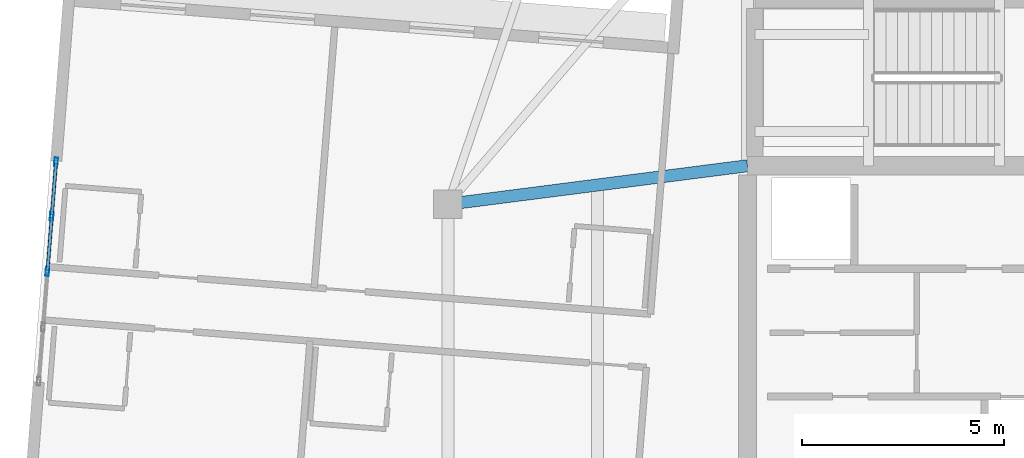
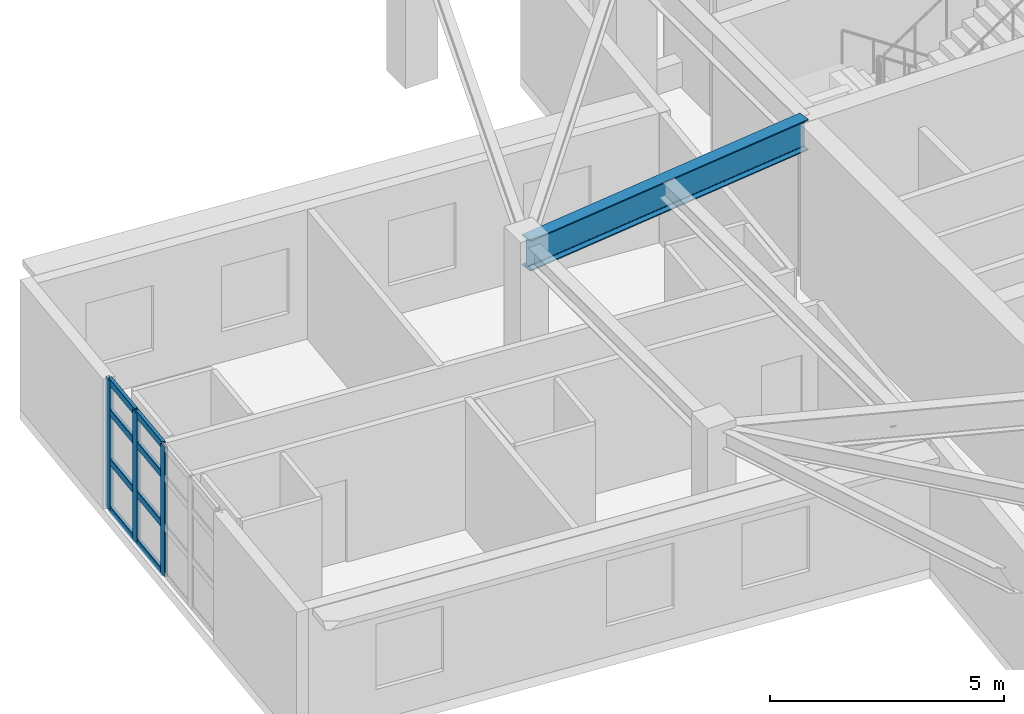
# One storey, part 7 of 23: 11 members, 1 beam, 1 element without a shape of its own.
"""IFC4 building model written with IfcOpenShell, lengths in metres."""

import ifcopenshell
import ifcopenshell.guid

model = None  # the IFC model being written
_history = None  # IfcOwnerHistory: only IFC2X3 demands one
_inside = {}  # id of a spatial element -> (the spatial element, [elements in it])
_under = {}  # id of a project, library or spatial element -> (it, [spatial elements below it])
_declared = {}  # id of a project -> (the project, [libraries it declares])
_typed = {}  # id of a type object -> (the type object, [elements of that type])
_made_of = {}  # id of a material, layer set ... -> (it, [elements and type objects made of it])


def new_model(schema):
    """Start an empty IFC model of exactly this schema.

    Asked for "IFC4X3", IfcOpenShell would pick the latest addendum, in which some entities
    have other attributes; the version numbers below select the first issue.
    IFC2X3 requires an IfcOwnerHistory on every rooted entity: one is made here for all.
    """
    global model, _history
    if schema == "IFC4X3":
        model = ifcopenshell.file(schema_version=(4, 3, 0, 0))
    else:
        model = ifcopenshell.file(schema=schema)
    _inside.clear()
    _under.clear()
    _declared.clear()
    _typed.clear()
    _made_of.clear()
    _history = None
    if model.schema == "IFC2X3":
        org = make("IfcOrganization", Name="unknown")
        user = make(
            "IfcPersonAndOrganization",
            ThePerson=make("IfcPerson", FamilyName="unknown"),
            TheOrganization=org,
        )
        app = make(
            "IfcApplication",
            ApplicationDeveloper=org,
            Version="unknown",
            ApplicationFullName="unknown",
            ApplicationIdentifier="unknown",
        )
        _history = make(
            "IfcOwnerHistory",
            OwningUser=user,
            OwningApplication=app,
            ChangeAction="ADDED",
            CreationDate=0,
        )
    return model


def make(cls, **values):
    """One entity of the class cls with the attributes given. An attribute that is None is left unset."""
    return model.create_entity(
        cls, **{name: value for name, value in values.items() if value is not None}
    )


def rooted(cls, **values):
    """An entity with a GlobalId (a new one), such as an element, a storey or a relation."""
    return make(cls, GlobalId=ifcopenshell.guid.new(), OwnerHistory=_history, **values)


def si_unit(unit_type, name, prefix=None):
    """IfcSIUnit, for example si_unit("LENGTHUNIT", "METRE", prefix="MILLI")."""
    return make("IfcSIUnit", UnitType=unit_type, Prefix=prefix, Name=name)


def assignment(units):
    """IfcUnitAssignment: the units of a project."""
    return None if units is None else make("IfcUnitAssignment", Units=units)


def point(xyz):
    """IfcCartesianPoint."""
    return None if xyz is None else make("IfcCartesianPoint", Coordinates=xyz)


def direction(xyz):
    """IfcDirection."""
    return None if xyz is None else make("IfcDirection", DirectionRatios=xyz)


def frame(location, z_axis=None, x_axis=None):
    """IfcAxis2Placement3D, a coordinate frame: its origin and axes. An axis left out is left unset."""
    return make(
        "IfcAxis2Placement3D",
        Location=point(location),
        Axis=direction(z_axis),
        RefDirection=direction(x_axis),
    )


def frame_2d(location, x_axis=None):
    """IfcAxis2Placement2D, a coordinate frame in the plane: its origin and x axis."""
    return make(
        "IfcAxis2Placement2D", Location=point(location), RefDirection=direction(x_axis)
    )


def origin():
    """The frame at (0, 0, 0) with its axes left unset."""
    return frame((0.0, 0.0, 0.0))


def origin_2d():
    """The frame at (0, 0) in the plane with its x axis left unset."""
    return frame_2d((0.0, 0.0))


def place(relative_to, where):
    """IfcLocalPlacement: puts the frame where relative to a parent placement (None: the world)."""
    return make(
        "IfcLocalPlacement", PlacementRelTo=relative_to, RelativePlacement=where
    )


def context(
    kind, dimensions, precision=None, world=None, true_north=None, identifier=None
):
    """IfcGeometricRepresentationContext, for example the 3D "Model" context."""
    return make(
        "IfcGeometricRepresentationContext",
        ContextIdentifier=identifier,
        ContextType=kind,
        CoordinateSpaceDimension=dimensions,
        Precision=precision,
        WorldCoordinateSystem=world,
        TrueNorth=true_north,
    )


def subcontext(parent, identifier, kind, view, scale=None):
    """IfcGeometricRepresentationSubContext, for example "Body" below "Model"."""
    return make(
        "IfcGeometricRepresentationSubContext",
        ContextIdentifier=identifier,
        ContextType=kind,
        ParentContext=parent,
        TargetScale=scale,
        TargetView=view,
    )


def project(units=None, contexts=None):
    """IfcProject with its units and contexts."""
    return rooted(
        "IfcProject",
        Name="project",
        RepresentationContexts=contexts,
        UnitsInContext=assignment(units),
    )


def spatial(cls, under=None, at=None, **own):
    """A site, building, storey or space (cls), placed at a placement, below another one or the project."""
    s = rooted(cls, ObjectPlacement=at, **own)
    if under is not None:
        _under.setdefault(under.id(), (under, []))[1].append(s)
    return s


def profile(cls, at=None, kind="AREA", **sizes):
    """A parametric profile (cls). Its sizes go by their IFC names, for example OverallWidth=200.0."""
    return make(cls, ProfileType=kind, Position=at, **sizes)


def hollow_rectangle(**sizes):
    """IfcRectangleHollowProfileDef."""
    return profile("IfcRectangleHollowProfileDef", **sizes)


def i_section(**sizes):
    """IfcIShapeProfileDef."""
    return profile("IfcIShapeProfileDef", **sizes)


def extrude(swept, where, along, depth):
    """IfcExtrudedAreaSolid: the profile swept, set in the frame where, extruded along a direction by depth."""
    return make(
        "IfcExtrudedAreaSolid",
        SweptArea=swept,
        Position=where,
        ExtrudedDirection=direction(along),
        Depth=depth,
    )


def shape(context_of_items, identifier, shape_type, items):
    """IfcShapeRepresentation: the items that make up one representation, for example the "Body"."""
    return make(
        "IfcShapeRepresentation",
        ContextOfItems=context_of_items,
        RepresentationIdentifier=identifier,
        RepresentationType=shape_type,
        Items=items,
    )


def material(Name=None, Category=None):
    """IfcMaterial."""
    return make("IfcMaterial", Name=Name, Category=Category)


def layer(
    of_material, thickness, ventilated=None, Name=None, Category=None, Priority=None
):
    """IfcMaterialLayer: one layer of a wall or slab, of a material (None: an air gap)."""
    return make(
        "IfcMaterialLayer",
        Material=of_material,
        LayerThickness=thickness,
        IsVentilated=ventilated,
        Name=Name,
        Category=Category,
        Priority=Priority,
    )


def layer_set(layers, Name=None):
    """IfcMaterialLayerSet."""
    return make("IfcMaterialLayerSet", MaterialLayers=layers, LayerSetName=Name)


def material_profile(
    of_material, cross_section, Name=None, Category=None, Priority=None
):
    """IfcMaterialProfile: a cross section and its material."""
    return make(
        "IfcMaterialProfile",
        Name=Name,
        Material=of_material,
        Profile=cross_section,
        Priority=Priority,
        Category=Category,
    )


def profile_set(profiles, Name=None, composite=None):
    """IfcMaterialProfileSet."""
    return make(
        "IfcMaterialProfileSet",
        Name=Name,
        MaterialProfiles=profiles,
        CompositeProfile=composite,
    )


def made_of(thing, what):
    """Note that an element or type object is made of a material, layer set ...; save() writes the relation."""
    if what is not None:
        _made_of.setdefault(what.id(), (what, []))[1].append(thing)
    return thing


def type_object(cls, material=None, **own):
    """A type object (cls), such as IfcWallType, which elements share."""
    return made_of(rooted(cls, **own), material)


def element(
    cls,
    number,
    at=None,
    inside=None,
    cuts=None,
    type_object=None,
    material=None,
    context=None,
    identifier="Body",
    shape_type=None,
    held_by="IfcProductDefinitionShape",
    body=None,
    shapes=None,
    **own,
):
    """One element of the class cls, such as IfcWall. Its Tag is "e" and its number.

    at: its placement. inside: the storey or other place that contains it. cuts: it is an
    opening in that element (IfcRelVoidsElement). A single representation is given by context,
    identifier, shape_type and body (its items); several are given by shapes. held_by: the class
    of the entity that holds the representations. save() writes the other relations.
    """
    e = rooted(cls, Tag="e%d" % number, ObjectPlacement=at, **own)
    if body is not None:
        shapes = [shape(context, identifier, shape_type, body)]
    if shapes is not None:
        e.Representation = make(held_by, Representations=shapes)
    if inside is not None:
        _inside.setdefault(inside.id(), (inside, []))[1].append(e)
    if cuts is not None:
        rooted(
            "IfcRelVoidsElement", RelatingBuildingElement=cuts, RelatedOpeningElement=e
        )
    if type_object is not None:
        _typed.setdefault(type_object.id(), (type_object, []))[1].append(e)
    return made_of(e, material)


def aggregate(whole, parts):
    """IfcRelAggregates: a whole, such as a stair, and the parts it consists of."""
    return rooted("IfcRelAggregates", RelatingObject=whole, RelatedObjects=parts)


def save(model, path):
    """Write the relations noted so far, then the file.

    IfcRelAggregates (storeys below a building ...), IfcRelContainedInSpatialStructure (elements
    in a storey), IfcRelDefinesByType, IfcRelAssociatesMaterial and IfcRelDeclares: one each for
    every whole, place, type object, material and project.
    """
    for whole, parts in _under.values():
        aggregate(whole, parts)
    for where, things in _inside.values():
        rooted(
            "IfcRelContainedInSpatialStructure",
            RelatedElements=things,
            RelatingStructure=where,
        )
    for kind, things in _typed.values():
        rooted("IfcRelDefinesByType", RelatedObjects=things, RelatingType=kind)
    for what, things in _made_of.values():
        rooted("IfcRelAssociatesMaterial", RelatedObjects=things, RelatingMaterial=what)
    for by, libraries in _declared.values():
        rooted("IfcRelDeclares", RelatingContext=by, RelatedDefinitions=libraries)
    model.write(path)


model = new_model("IFC4")

# Units and contexts
model_context = context("Model", 3, precision=1e-05, world=origin(), true_north=direction((0.0, 1.0)))
body_context = subcontext(model_context, "Body", "Model", "MODEL_VIEW")
ifc_project = project(units=[si_unit("LENGTHUNIT", "METRE"), si_unit("AREAUNIT", "SQUARE_METRE"), si_unit("VOLUMEUNIT", "CUBIC_METRE"), si_unit("PLANEANGLEUNIT", "RADIAN"), si_unit("MASSUNIT", "GRAM", prefix="KILO")], contexts=[model_context])

# Site, building, storey
site_placement = place(None, origin())
site = spatial("IfcSite", under=ifc_project, at=site_placement, CompositionType="ELEMENT")
building_placement = place(site_placement, origin())
building = spatial("IfcBuilding", under=site, at=building_placement, Name="Qingluan Cross Belvedere", CompositionType="ELEMENT")
storey_placement = place(building_placement, frame((0.0, 0.0, 245.39990234375)))
storey = spatial("IfcBuildingStorey", under=building, at=storey_placement, Name="L61", CompositionType="ELEMENT", Elevation=245.39990234375)

# Curtain wall, members
ifc_material_1 = material(Name="Thermally broken aluminium and Low-E glass", Category="aluminium")
ifc_layer = layer(ifc_material_1, 0.219970703125, Name="UnitisedCW_SkyLobbyHigh")
ifc_layer_set = layer_set([ifc_layer], Name="Thermally broken aluminium and Low-E glass")
curtain_wall_type = type_object("IfcCurtainWallType", Name="UnitisedCW_SkyLobbyHigh", PredefinedType="USERDEFINED", material=ifc_layer_set)
curtain_wall_placement = place(storey_placement, origin())
curtain_wall = element("IfcCurtainWall", 1, at=curtain_wall_placement, inside=storey, type_object=curtain_wall_type, Name="UnitisedCW_SkyLobbyHigh run env:cw:L61:W", ObjectType="UNITISED CURTAIN WALL", PredefinedType="USERDEFINED")
ifc_material_2 = material(Name="Aluminium alloy 6063-T6", Category="aluminium")
ifc_material_profile_1 = material_profile(ifc_material_2, hollow_rectangle(XDim=0.0849609375, YDim=0.219970703125, WallThickness=0.0048828125, InnerFilletRadius=0.0048828125, OuterFilletRadius=0.010009765625, at=origin_2d()), Name="CWM220x85x5")
ifc_profile_set_1 = profile_set([ifc_material_profile_1], Name="Aluminium alloy 6063-T6")
member_type_1 = type_object("IfcMemberType", Name="CWMullion_220", PredefinedType="MULLION", material=ifc_profile_set_1)
member_1_placement = place(storey_placement, frame((-29.475341796875, 5.042236328125, 0.0), z_axis=(0.0, 0.0, 1.0), x_axis=(0.996917118636, -0.078461828752, 0.0)))
member_1 = element("IfcMember", 2, at=member_1_placement, type_object=member_type_1, Name="CW-S2 mullion 1", PredefinedType="MULLION", context=body_context, shape_type="SweptSolid", body=[
    extrude(hollow_rectangle(XDim=0.0849609375, YDim=0.219970703125, WallThickness=0.0048828125, InnerFilletRadius=0.0048828125, OuterFilletRadius=0.010009765625, at=origin_2d()), origin(), (0.0, 0.0, 1.0), 3.380126953125),
])
member_2_placement = place(storey_placement, frame((-29.58056640625, 3.704345703125, 0.0), z_axis=(0.0, 0.0, 1.0), x_axis=(0.996917118636, -0.078461828752, 0.0)))
member_2 = element("IfcMember", 3, at=member_2_placement, type_object=member_type_1, Name="CW-S2 mullion 2", PredefinedType="MULLION", context=body_context, shape_type="SweptSolid", body=[
    extrude(hollow_rectangle(XDim=0.0849609375, YDim=0.219970703125, WallThickness=0.0048828125, InnerFilletRadius=0.0048828125, OuterFilletRadius=0.010009765625, at=origin_2d()), origin(), (0.0, 0.0, 1.0), 3.380126953125),
])
member_3_placement = place(storey_placement, frame((-29.688232421875, 2.336669921875, 0.0), z_axis=(0.0, 0.0, 1.0), x_axis=(0.996917118636, -0.078461828752, 0.0)))
member_3 = element("IfcMember", 4, at=member_3_placement, type_object=member_type_1, Name="CW-S2 mullion 3", PredefinedType="MULLION", context=body_context, shape_type="SweptSolid", body=[
    extrude(hollow_rectangle(XDim=0.0849609375, YDim=0.219970703125, WallThickness=0.0048828125, InnerFilletRadius=0.0048828125, OuterFilletRadius=0.010009765625, at=origin_2d()), origin(), (0.0, 0.0, 1.0), 3.380126953125),
])
ifc_material_3 = material(Name="Aluminium alloy 6063-T6", Category="aluminium")
ifc_material_profile_2 = material_profile(ifc_material_3, hollow_rectangle(XDim=0.0849609375, YDim=0.179931640625, WallThickness=0.00390625, InnerFilletRadius=0.00390625, OuterFilletRadius=0.008056640625, at=origin_2d()), Name="CWT180x85x4")
ifc_profile_set_2 = profile_set([ifc_material_profile_2], Name="Aluminium alloy 6063-T6")
member_type_2 = type_object("IfcMemberType", Name="CWTransom_180", PredefinedType="USERDEFINED", material=ifc_profile_set_2)
member_4_placement = place(storey_placement, frame((-29.4775390625, 5.01220703125, 0.030029296875), z_axis=(-0.078458445574, -0.996917384901, 0.0), x_axis=(0.996917384901, -0.078458445574, 0.0)))
member_4 = element("IfcMember", 5, at=member_4_placement, type_object=member_type_2, Name="CW-S2 transom 1.1", ObjectType="TRANSOM", PredefinedType="USERDEFINED", context=body_context, shape_type="SweptSolid", body=[
    extrude(hollow_rectangle(XDim=0.0849609375, YDim=0.179931640625, WallThickness=0.00390625, InnerFilletRadius=0.00390625, OuterFilletRadius=0.008056640625, at=origin_2d()), origin(), (0.0, 0.0, 1.0), 1.281982421875),
])
member_5_placement = place(storey_placement, frame((-29.4775390625, 5.01220703125, 1.2841796875), z_axis=(-0.078458445574, -0.996917384901, 0.0), x_axis=(0.996917384901, -0.078458445574, 0.0)))
member_5 = element("IfcMember", 6, at=member_5_placement, type_object=member_type_2, Name="CW-S2 transom 1.2", ObjectType="TRANSOM", PredefinedType="USERDEFINED", context=body_context, shape_type="SweptSolid", body=[
    extrude(hollow_rectangle(XDim=0.0849609375, YDim=0.179931640625, WallThickness=0.00390625, InnerFilletRadius=0.00390625, OuterFilletRadius=0.008056640625, at=origin_2d()), origin(), (0.0, 0.0, 1.0), 1.281982421875),
])
member_6_placement = place(storey_placement, frame((-29.4775390625, 5.01220703125, 2.569091796875), z_axis=(-0.078458445574, -0.996917384901, 0.0), x_axis=(0.996917384901, -0.078458445574, 0.0)))
member_6 = element("IfcMember", 7, at=member_6_placement, type_object=member_type_2, Name="CW-S2 transom 1.3", ObjectType="TRANSOM", PredefinedType="USERDEFINED", context=body_context, shape_type="SweptSolid", body=[
    extrude(hollow_rectangle(XDim=0.0849609375, YDim=0.179931640625, WallThickness=0.00390625, InnerFilletRadius=0.00390625, OuterFilletRadius=0.008056640625, at=origin_2d()), origin(), (0.0, 0.0, 1.0), 1.281982421875),
])
member_7_placement = place(storey_placement, frame((-29.4775390625, 5.01220703125, 3.35009765625), z_axis=(-0.078458445574, -0.996917384901, 0.0), x_axis=(0.996917384901, -0.078458445574, 0.0)))
member_7 = element("IfcMember", 8, at=member_7_placement, type_object=member_type_2, Name="CW-S2 transom 1.4", ObjectType="TRANSOM", PredefinedType="USERDEFINED", context=body_context, shape_type="SweptSolid", body=[
    extrude(hollow_rectangle(XDim=0.0849609375, YDim=0.179931640625, WallThickness=0.00390625, InnerFilletRadius=0.00390625, OuterFilletRadius=0.008056640625, at=origin_2d()), origin(), (0.0, 0.0, 1.0), 1.281982421875),
])
member_8_placement = place(storey_placement, frame((-29.5830078125, 3.67431640625, 0.030029296875), z_axis=(-0.078347191082, -0.9969261345, 0.0), x_axis=(0.9969261345, -0.078347191082, 0.0)))
member_8 = element("IfcMember", 9, at=member_8_placement, type_object=member_type_2, Name="CW-S2 transom 2.1", ObjectType="TRANSOM", PredefinedType="USERDEFINED", context=body_context, shape_type="SweptSolid", body=[
    extrude(hollow_rectangle(XDim=0.0849609375, YDim=0.179931640625, WallThickness=0.00390625, InnerFilletRadius=0.00390625, OuterFilletRadius=0.008056640625, at=origin_2d()), origin(), (0.0, 0.0, 1.0), 1.31201171875),
])
member_9_placement = place(storey_placement, frame((-29.5830078125, 3.67431640625, 1.2841796875), z_axis=(-0.078347191082, -0.9969261345, 0.0), x_axis=(0.9969261345, -0.078347191082, 0.0)))
member_9 = element("IfcMember", 10, at=member_9_placement, type_object=member_type_2, Name="CW-S2 transom 2.2", ObjectType="TRANSOM", PredefinedType="USERDEFINED", context=body_context, shape_type="SweptSolid", body=[
    extrude(hollow_rectangle(XDim=0.0849609375, YDim=0.179931640625, WallThickness=0.00390625, InnerFilletRadius=0.00390625, OuterFilletRadius=0.008056640625, at=origin_2d()), origin(), (0.0, 0.0, 1.0), 1.31201171875),
])
member_10_placement = place(storey_placement, frame((-29.5830078125, 3.67431640625, 2.569091796875), z_axis=(-0.078347191082, -0.9969261345, 0.0), x_axis=(0.9969261345, -0.078347191082, 0.0)))
member_10 = element("IfcMember", 11, at=member_10_placement, type_object=member_type_2, Name="CW-S2 transom 2.3", ObjectType="TRANSOM", PredefinedType="USERDEFINED", context=body_context, shape_type="SweptSolid", body=[
    extrude(hollow_rectangle(XDim=0.0849609375, YDim=0.179931640625, WallThickness=0.00390625, InnerFilletRadius=0.00390625, OuterFilletRadius=0.008056640625, at=origin_2d()), origin(), (0.0, 0.0, 1.0), 1.31201171875),
])
member_11_placement = place(storey_placement, frame((-29.5830078125, 3.67431640625, 3.35009765625), z_axis=(-0.078347191082, -0.9969261345, 0.0), x_axis=(0.9969261345, -0.078347191082, 0.0)))
member_11 = element("IfcMember", 12, at=member_11_placement, type_object=member_type_2, Name="CW-S2 transom 2.4", ObjectType="TRANSOM", PredefinedType="USERDEFINED", context=body_context, shape_type="SweptSolid", body=[
    extrude(hollow_rectangle(XDim=0.0849609375, YDim=0.179931640625, WallThickness=0.00390625, InnerFilletRadius=0.00390625, OuterFilletRadius=0.008056640625, at=origin_2d()), origin(), (0.0, 0.0, 1.0), 1.31201171875),
])
aggregate(curtain_wall, [member_1, member_2, member_3, member_4, member_5, member_6, member_7, member_8, member_9, member_10, member_11])

# Beam
ifc_material_4 = material(Name="Steel Q420GJB", Category="steel")
ifc_material_profile_3 = material_profile(ifc_material_4, i_section(OverallWidth=0.300048828125, OverallDepth=0.800048828125, WebThickness=0.015380859375, FlangeThickness=0.028076171875, FilletRadius=0.030029296875, at=origin_2d()), Name="HEB800")
ifc_profile_set_3 = profile_set([ifc_material_profile_3], Name="Steel Q420GJB")
beam_type = type_object("IfcBeamType", Name="Steel_Girder_HEB800", PredefinedType="USERDEFINED", material=ifc_profile_set_3)
beam_placement = place(storey_placement, frame((-12.39990234375, 4.949951171875, 3.900146484375), z_axis=(-0.991861120628, -0.12732445714, 0.0), x_axis=(0.12732445714, -0.991861120628, 0.0)))
element("IfcBeam", 13, at=beam_placement, inside=storey, type_object=beam_type, Name="Arm W radial girder B L61", ObjectType="GIRDER", PredefinedType="USERDEFINED", context=body_context, shape_type="SweptSolid", body=[
    extrude(i_section(OverallWidth=0.300048828125, OverallDepth=0.800048828125, WebThickness=0.015380859375, FlangeThickness=0.028076171875, FilletRadius=0.030029296875, at=origin_2d()), origin(), (0.0, 0.0, 1.0), 7.4609375),
])

save(model, "model.ifc")
